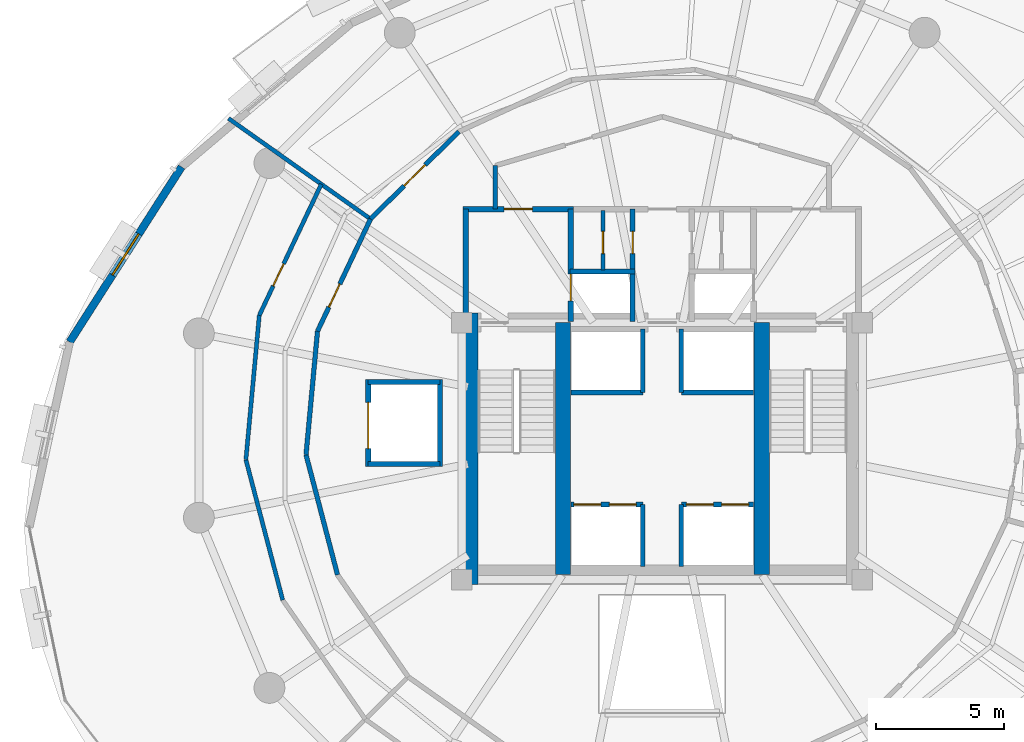
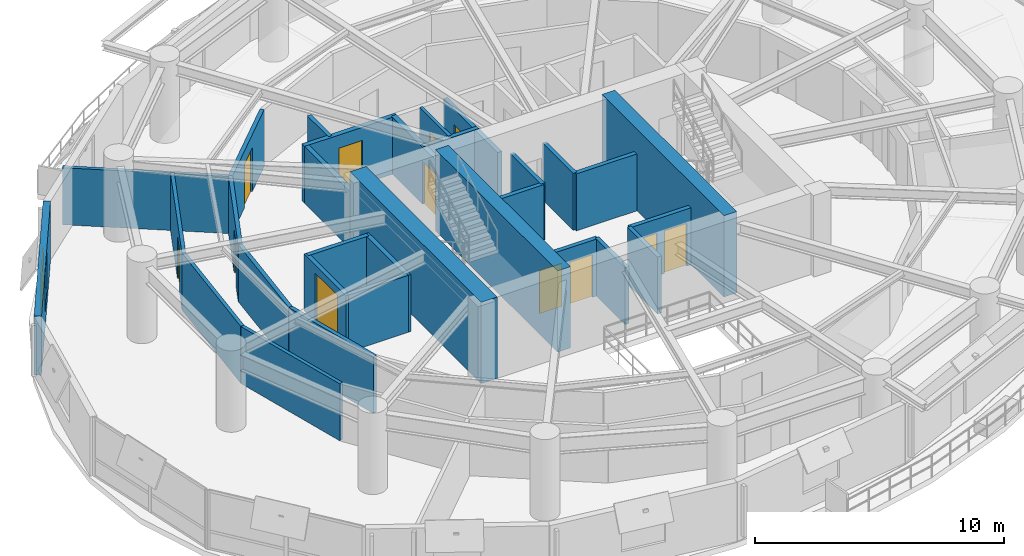
# One storey, part 10 of 14: 31 walls, 12 doors, 1 window, 13 openings.
"""IFC4 building model written with IfcOpenShell, lengths in metres."""

from ifc_helpers import new_model, si_unit, direction, frame, frame_2d, origin, place, context, subcontext, project, spatial, rectangle, extrude, material, layer, layer_set, type_object, element, fill, save


model = new_model("IFC4")

# Units and contexts
model_context = context("Model", 3, precision=1e-05, world=origin(), true_north=direction((0.0, 1.0)))
body_context = subcontext(model_context, "Body", "Model", "MODEL_VIEW")
ifc_project = project(units=[si_unit("LENGTHUNIT", "METRE"), si_unit("AREAUNIT", "SQUARE_METRE"), si_unit("VOLUMEUNIT", "CUBIC_METRE"), si_unit("PLANEANGLEUNIT", "RADIAN"), si_unit("MASSUNIT", "GRAM", prefix="KILO"), si_unit("THERMODYNAMICTEMPERATUREUNIT", "KELVIN"), si_unit("POWERUNIT", "WATT")], contexts=[model_context])

# Site, building, storey
site_placement = place(None, origin())
site = spatial("IfcSite", under=ifc_project, at=site_placement, CompositionType="ELEMENT")
building_placement = place(site_placement, origin())
building = spatial("IfcBuilding", under=site, at=building_placement, Name="Ocrelia Relay Tower", CompositionType="ELEMENT")
storey_placement = place(building_placement, frame((0.0, 0.0, 137.800048828125)))
storey = spatial("IfcBuildingStorey", under=building, at=storey_placement, Name="L32", CompositionType="ELEMENT", Elevation=137.800048828125)

# Walls
ifc_material_1 = material(Name="Concrete C60/75", Category="concrete")
ifc_layer_1 = layer(ifc_material_1, 0.75, Name="Concrete C60/75")
ifc_layer_set_1 = layer_set([ifc_layer_1], Name="Concrete C60/75")
wall_type_1 = type_object("IfcWallType", Name="CW-CORE-750", PredefinedType="SHEAR", material=ifc_layer_set_1)
wall_1_placement = place(storey_placement, frame((26.447021484375, 19.81201171875, 0.0), z_axis=(0.0, 0.0, 1.0), x_axis=(0.0, 1.0, 0.0)))
element("IfcWall", 1, at=wall_1_placement, inside=storey, type_object=wall_type_1, Name="L32 Core Shear Wall W", PredefinedType="SHEAR", context=body_context, shape_type="SweptSolid", body=[
    extrude(rectangle(XDim=10.575927734375, YDim=0.75, at=frame_2d((5.2880859375, 0.0))), origin(), (0.0, 0.0, 1.0), 4.0),
])
for number, where, z_axis, x_axis, name in (
    (2, (30.137939453125, 20.18701171875, 0.0), (0.0, 0.0, 1.0), (0.0, 1.0, 0.0), "L32 Core Shear Wall SPW"),
    (3, (37.8720703125, 20.18701171875, 0.0), (0.0, 0.0, 1.0), (0.0, 1.0, 0.0), "L32 Core Shear Wall SPE"),
):
    element("IfcWall", number, at=place(storey_placement, frame(where, z_axis=z_axis, x_axis=x_axis)), inside=storey, type_object=wall_type_1, Name=name, PredefinedType="SHEAR", context=body_context, shape_type="SweptSolid", body=[
        extrude(rectangle(XDim=9.825927734375, YDim=0.60009765625, at=frame_2d((4.9130859375, 0.0))), origin(), (0.0, 0.0, 1.0), 4.0),
    ])
ifc_material_2 = material(Name="Gypsum Fireboard Partition EI60", Category="gypsum")
ifc_layer_2 = layer(ifc_material_2, 0.179931640625, Name="Gypsum Fireboard Partition EI60")
ifc_layer_set_2 = layer_set([ifc_layer_2], Name="Gypsum Fireboard Partition EI60")
wall_type_2 = type_object("IfcWallType", Name="W-CORR-EI60-180", PredefinedType="PARTITIONING", material=ifc_layer_set_2)
wall_2_placement = place(storey_placement, frame((27.5, 34.429931640625, 0.0), z_axis=(0.0, 0.0, 1.0), x_axis=(0.0, 1.0, 0.0)))
element("IfcWall", 4, at=wall_2_placement, inside=storey, type_object=wall_type_2, Name="L32 Smoke Lobby West Return", PredefinedType="PARTITIONING", context=body_context, shape_type="SweptSolid", body=[
    extrude(rectangle(XDim=1.69287109375, YDim=0.179931640625, at=frame_2d((0.846435546875, 0.0))), origin(), (0.0, 0.0, 1.0), 2.800048828125),
])

# Wall, opening, door
wall_3_placement = place(storey_placement, frame((26.07568359375, 37.444091796875, 0.0), z_axis=(0.0, 0.0, 1.0), x_axis=(-0.710808900414, -0.703385176907, 0.0)))
wall_3 = element("IfcWall", 5, at=wall_3_placement, inside=storey, type_object=wall_type_2, Name="L32 Optical Switching Hall A Corridor Partition 4", PredefinedType="PARTITIONING", context=body_context, shape_type="SweptSolid", body=[
    extrude(rectangle(XDim=4.834228515625, YDim=0.179931640625, at=frame_2d((2.4169921875, 0.0))), origin(), (0.0, 0.0, 1.0), 2.800048828125),
])
opening_1_placement = place(wall_3_placement, frame((1.842041015625, 0.0, 0.0)))
opening_1 = element("IfcOpeningElement", 6, at=opening_1_placement, cuts=wall_3, Name="Opening D-RM115", PredefinedType="OPENING", context=body_context, shape_type="SweptSolid", body=[
    extrude(rectangle(XDim=1.14990234375, YDim=2.14990234375, at=frame_2d((0.574951171875, 1.074951171875))), frame((0.0, 0.10009765625, 0.0), z_axis=(0.0, -1.0, 0.0), x_axis=(1.0, 0.0, 0.0)), (0.0, 0.0, 1.0), 0.199951171875),
])
ifc_material_3 = material(Name="Wide acoustic oak veneer fire door", Category="wood")
door_type_1 = type_object("IfcDoorType", Name="DR-ROOM-1150", OperationType="NOTDEFINED", PredefinedType="DOOR", material=ifc_material_3)
door_1_placement = place(opening_1_placement, origin())
door_1 = element("IfcDoor", 7, at=door_1_placement, inside=storey, type_object=door_type_1, Name="L32 Optical Switching Hall A Entrance Door", OperationType="SINGLE_SWING_LEFT", OverallHeight=2.14990234375, OverallWidth=1.14990234375, PredefinedType="DOOR", context=body_context, shape_type="SweptSolid", body=[
    extrude(rectangle(XDim=1.14990234375, YDim=2.14990234375, at=frame_2d((0.574951171875, 1.074951171875))), frame((0.0, 0.02490234375, 0.0), z_axis=(0.0, -1.0, 0.0), x_axis=(1.0, 0.0, 0.0)), (0.0, 0.0, 1.0), 0.050048828125),
])
fill(opening_1, door_1)

wall_4_placement = place(storey_placement, frame((22.639404296875, 34.043701171875, 0.0), z_axis=(0.0, 0.0, 1.0), x_axis=(-0.427348095513, -0.904087166849, 0.0)))
wall_4 = element("IfcWall", 8, at=wall_4_placement, inside=storey, type_object=wall_type_2, Name="L32 Executive Reading Study Corridor Partition 1", PredefinedType="PARTITIONING", context=body_context, shape_type="SweptSolid", body=[
    extrude(rectangle(XDim=4.834228515625, YDim=0.179931640625, at=frame_2d((2.4169921875, 0.0))), origin(), (0.0, 0.0, 1.0), 2.800048828125),
])
opening_2_placement = place(wall_4_placement, frame((2.80078125, 0.0, 0.0)))
opening_2 = element("IfcOpeningElement", 9, at=opening_2_placement, cuts=wall_4, Name="Opening D-RM100", PredefinedType="OPENING", context=body_context, shape_type="SweptSolid", body=[
    extrude(rectangle(XDim=1.0, YDim=2.14990234375, at=frame_2d((0.5, 1.074951171875))), frame((0.0, 0.10009765625, 0.0), z_axis=(0.0, -1.0, 0.0), x_axis=(1.0, 0.0, 0.0)), (0.0, 0.0, 1.0), 0.199951171875),
])
ifc_material_4 = material(Name="Acoustic oak veneer fire door", Category="wood")
door_type_2 = type_object("IfcDoorType", Name="DR-ROOM-FD60-1000", OperationType="NOTDEFINED", PredefinedType="DOOR", material=ifc_material_4)
door_2_placement = place(opening_2_placement, origin())
door_2 = element("IfcDoor", 10, at=door_2_placement, inside=storey, type_object=door_type_2, Name="L32 Executive Reading Study Entrance Door", OperationType="SINGLE_SWING_RIGHT", OverallHeight=2.14990234375, OverallWidth=1.0, PredefinedType="DOOR", context=body_context, shape_type="SweptSolid", body=[
    extrude(rectangle(XDim=1.0, YDim=2.14990234375, at=frame_2d((0.5, 1.074951171875))), frame((0.0, 0.02490234375, 0.0), z_axis=(0.0, -1.0, 0.0), x_axis=(1.0, 0.0, 0.0)), (0.0, 0.0, 1.0), 0.050048828125),
])
fill(opening_2, door_2)

# Walls
wall_5_placement = place(storey_placement, frame((20.573486328125, 29.673095703125, 0.0), z_axis=(0.0, 0.0, 1.0), x_axis=(-0.092416111348, -0.99572047401, 0.0)))
element("IfcWall", 11, at=wall_5_placement, inside=storey, type_object=wall_type_2, Name="L32 Executive Reading Study Corridor Partition 2", PredefinedType="PARTITIONING", context=body_context, shape_type="SweptSolid", body=[
    extrude(rectangle(XDim=4.83447265625, YDim=0.179931640625, at=frame_2d((2.417236328125, 0.0))), origin(), (0.0, 0.0, 1.0), 2.800048828125),
])
wall_6_placement = place(storey_placement, frame((20.126708984375, 24.859375, 0.0), z_axis=(0.0, 0.0, 1.0), x_axis=(0.253772332763, -0.967263977994, 0.0)))
element("IfcWall", 12, at=wall_6_placement, inside=storey, type_object=wall_type_2, Name="L32 Executive Reading Study Corridor Partition 3", PredefinedType="PARTITIONING", context=body_context, shape_type="SweptSolid", body=[
    extrude(rectangle(XDim=4.834228515625, YDim=0.179931640625, at=frame_2d((2.4169921875, 0.0))), origin(), (0.0, 0.0, 1.0), 2.800048828125),
])

# Wall, opening, window
ifc_material_5 = material(Name="Precast concrete C40/50 with oxide terracotta", Category="masonry")
ifc_layer_3 = layer(ifc_material_5, 0.300048828125, Name="Precast concrete C40/50 with oxide terracotta")
ifc_layer_set_3 = layer_set([ifc_layer_3], Name="Precast concrete C40/50 with oxide terracotta")
wall_type_3 = type_object("IfcWallType", Name="W-EXT-TERR-300", PredefinedType="SOLIDWALL", material=ifc_layer_set_3)
wall_7_placement = place(storey_placement, frame((15.2783203125, 36.072509765625, 0.0), z_axis=(0.0, 0.0, 1.0), x_axis=(-0.538505872867, -0.842621756714, 0.0)))
wall_7 = element("IfcWall", 13, at=wall_7_placement, inside=storey, type_object=wall_type_3, Name="L32 Oxide Terracotta Facade Wall 07", PredefinedType="SOLIDWALL", context=body_context, shape_type="SweptSolid", body=[
    extrude(rectangle(XDim=8.09521484375, YDim=0.300048828125, at=frame_2d((4.047607421875, 0.0))), origin(), (0.0, 0.0, 1.0), 2.89990234375),
])
opening_3_placement = place(wall_7_placement, frame((3.097900390625, 0.0, 0.800048828125)))
opening_3 = element("IfcOpeningElement", 14, at=opening_3_placement, cuts=wall_7, Name="Opening W-06", PredefinedType="OPENING", context=body_context, shape_type="SweptSolid", body=[
    extrude(rectangle(XDim=1.89990234375, YDim=1.949951171875, at=frame_2d((0.949951171875, 0.97509765625))), frame((0.0, 0.16015625, 0.0), z_axis=(0.0, -1.0, 0.0), x_axis=(1.0, 0.0, 0.0)), (0.0, 0.0, 1.0), 0.320068359375),
])
ifc_material_6 = material(Name="Clear double-glazed low-E glass", Category="glass")
window_type = type_object("IfcWindowType", Name="WIN-Z2-1900x2100", PartitioningType="DOUBLE_PANEL_VERTICAL", PredefinedType="WINDOW", material=ifc_material_6)
window_placement = place(opening_3_placement, origin())
window = element("IfcWindow", 15, at=window_placement, inside=storey, type_object=window_type, Name="L32 Facade Module Window 07", OverallHeight=1.949951171875, OverallWidth=1.89990234375, PartitioningType="SINGLE_PANEL", PredefinedType="WINDOW", context=body_context, shape_type="SweptSolid", body=[
    extrude(rectangle(XDim=1.89990234375, YDim=1.949951171875, at=frame_2d((0.949951171875, 0.97509765625))), frame((0.0, 0.030029296875, 0.0), z_axis=(0.0, -1.0, 0.0), x_axis=(1.0, 0.0, 0.0)), (0.0, 0.0, 1.0), 0.06005859375),
])
fill(opening_3, window)

# Wall
ifc_material_7 = material(Name="Concrete C50/60", Category="concrete")
ifc_layer_4 = layer(ifc_material_7, 0.219970703125, Name="Concrete C50/60")
ifc_layer_set_4 = layer_set([ifc_layer_4], Name="Concrete C50/60")
wall_type_4 = type_object("IfcWallType", Name="W-FFL-EI120-220", PredefinedType="SOLIDWALL", material=ifc_layer_set_4)
wall_8_placement = place(storey_placement, frame((26.35009765625, 30.050048828125, 0.0), z_axis=(0.0, 0.0, 1.0), x_axis=(0.0, 1.0, 0.0)))
element("IfcWall", 16, at=wall_8_placement, inside=storey, type_object=wall_type_4, Name="L32 W Fire Service Lift Lobby West Wall", PredefinedType="SOLIDWALL", context=body_context, shape_type="SweptSolid", body=[
    extrude(rectangle(XDim=4.3798828125, YDim=0.219970703125, at=frame_2d((2.18994140625, 0.0))), origin(), (0.0, 0.0, 1.0), 2.800048828125),
])

# Wall, opening, door
wall_9_placement = place(storey_placement, frame((30.43994140625, 30.050048828125, 0.0), z_axis=(0.0, 0.0, 1.0), x_axis=(0.0, 1.0, 0.0)))
wall_9 = element("IfcWall", 17, at=wall_9_placement, inside=storey, type_object=wall_type_4, Name="L32 W Fire Service Lift Lobby East Wall", PredefinedType="SOLIDWALL", context=body_context, shape_type="SweptSolid", body=[
    extrude(rectangle(XDim=4.3798828125, YDim=0.219970703125, at=frame_2d((2.18994140625, 0.0))), origin(), (0.0, 0.0, 1.0), 2.800048828125),
])
opening_4_placement = place(wall_9_placement, frame((0.800048828125, 0.0, 0.0)))
opening_4 = element("IfcOpeningElement", 18, at=opening_4_placement, cuts=wall_9, Name="Opening LD-FFL1", PredefinedType="OPENING", context=body_context, shape_type="SweptSolid", body=[
    extrude(rectangle(XDim=1.050048828125, YDim=2.10009765625, at=frame_2d((0.52490234375, 1.050048828125))), frame((0.0, 0.1201171875, 0.0), z_axis=(0.0, -1.0, 0.0), x_axis=(1.0, 0.0, 0.0)), (0.0, 0.0, 1.0), 0.239990234375),
])
ifc_material_8 = material(Name="Brushed stainless steel S355 lift landing door", Category="steel")
door_type_3 = type_object("IfcDoorType", Name="DR-LIFT-LAND-1050", OperationType="DOUBLE_DOOR_SLIDING", PredefinedType="USERDEFINED", material=ifc_material_8)
door_3_placement = place(opening_4_placement, origin())
door_3 = element("IfcDoor", 19, at=door_3_placement, inside=storey, type_object=door_type_3, Name="L32 Firefighting Lift FFL1 Sliding Landing Door", ObjectType="LANDING DOOR", OperationType="DOUBLE_DOOR_SLIDING", OverallHeight=2.10009765625, OverallWidth=1.050048828125, PredefinedType="USERDEFINED", context=body_context, shape_type="SweptSolid", body=[
    extrude(rectangle(XDim=1.050048828125, YDim=2.10009765625, at=frame_2d((0.52490234375, 1.050048828125))), frame((0.0, 0.02490234375, 0.0), z_axis=(0.0, -1.0, 0.0), x_axis=(1.0, 0.0, 0.0)), (0.0, 0.0, 1.0), 0.050048828125),
])
fill(opening_4, door_3)

wall_10_placement = place(storey_placement, frame((26.239990234375, 34.429931640625, 0.0), z_axis=(0.0, 0.0, 1.0), x_axis=(1.0, 0.0, 0.0)))
wall_10 = element("IfcWall", 20, at=wall_10_placement, inside=storey, type_object=wall_type_4, Name="L32 W Fire Service Lift Lobby North Wall", PredefinedType="SOLIDWALL", context=body_context, shape_type="SweptSolid", body=[
    extrude(rectangle(XDim=4.31005859375, YDim=0.219970703125, at=frame_2d((2.155029296875, 0.0))), origin(), (0.0, 0.0, 1.0), 2.800048828125),
])
opening_5_placement = place(wall_10_placement, frame((1.60009765625, 0.0, 0.0)))
opening_5 = element("IfcOpeningElement", 21, at=opening_5_placement, cuts=wall_10, Name="Opening D-FD60", PredefinedType="OPENING", context=body_context, shape_type="SweptSolid", body=[
    extrude(rectangle(XDim=1.10009765625, YDim=2.14990234375, at=frame_2d((0.550048828125, 1.074951171875))), frame((0.0, 0.1201171875, 0.0), z_axis=(0.0, -1.0, 0.0), x_axis=(1.0, 0.0, 0.0)), (0.0, 0.0, 1.0), 0.239990234375),
])
ifc_material_9 = material(Name="Timber-core 60-min acoustic fire door", Category="wood")
door_type_4 = type_object("IfcDoorType", Name="DR-LOBBY-FD60-1100", OperationType="NOTDEFINED", PredefinedType="DOOR", material=ifc_material_9)
door_4_placement = place(opening_5_placement, origin())
door_4 = element("IfcDoor", 22, at=door_4_placement, inside=storey, type_object=door_type_4, Name="L32 W Fire Service Lift Lobby Exit Door", OperationType="SINGLE_SWING_LEFT", OverallHeight=2.14990234375, OverallWidth=1.10009765625, PredefinedType="DOOR", context=body_context, shape_type="SweptSolid", body=[
    extrude(rectangle(XDim=1.10009765625, YDim=2.14990234375, at=frame_2d((0.550048828125, 1.074951171875))), frame((0.0, 0.02490234375, 0.0), z_axis=(0.0, -1.0, 0.0), x_axis=(1.0, 0.0, 0.0)), (0.0, 0.0, 1.0), 0.050048828125),
])
fill(opening_5, door_4)

ifc_material_10 = material(Name="Acoustic Fireboard Partition EI60", Category="gypsum")
ifc_layer_5 = layer(ifc_material_10, 0.14990234375, Name="Acoustic Fireboard Partition EI60")
ifc_layer_set_5 = layer_set([ifc_layer_5], Name="Acoustic Fireboard Partition EI60")
wall_type_5 = type_object("IfcWallType", Name="W-PART-150", PredefinedType="PARTITIONING", material=ifc_layer_set_5)
wall_11_placement = place(storey_placement, frame((31.68994140625, 32.050048828125, 0.0), z_axis=(0.0, 0.0, 1.0), x_axis=(0.0, 1.0, 0.0)))
wall_11 = element("IfcWall", 23, at=wall_11_placement, inside=storey, type_object=wall_type_5, Name="L32 West Core Support Partition", PredefinedType="PARTITIONING", context=body_context, shape_type="SweptSolid", body=[
    extrude(rectangle(XDim=2.329833984375, YDim=0.14990234375, at=frame_2d((1.1650390625, 0.0))), origin(), (0.0, 0.0, 1.0), 2.800048828125),
])
opening_6_placement = place(wall_11_placement, frame((0.64990234375, 0.0, 0.0)))
opening_6 = element("IfcOpeningElement", 24, at=opening_6_placement, cuts=wall_11, Name="Opening D-RS86", PredefinedType="OPENING", context=body_context, shape_type="SweptSolid", body=[
    extrude(rectangle(XDim=0.860107421875, YDim=2.050048828125, at=frame_2d((0.43017578125, 1.02490234375))), frame((0.0, 0.0849609375, 0.0), z_axis=(0.0, -1.0, 0.0), x_axis=(1.0, 0.0, 0.0)), (0.0, 0.0, 1.0), 0.169921875),
])
ifc_material_11 = material(Name="Steel S355 riser access fire door", Category="steel")
door_type_5 = type_object("IfcDoorType", Name="DR-RISER-TRAP-860", OperationType="NOTDEFINED", PredefinedType="TRAPDOOR", material=ifc_material_11)
door_5_placement = place(opening_6_placement, origin())
door_5 = element("IfcDoor", 25, at=door_5_placement, inside=storey, type_object=door_type_5, Name="L32 West Core Store Connecting Door", OperationType="SINGLE_SWING_RIGHT", OverallHeight=2.050048828125, OverallWidth=0.860107421875, PredefinedType="TRAPDOOR", context=body_context, shape_type="SweptSolid", body=[
    extrude(rectangle(XDim=0.860107421875, YDim=2.050048828125, at=frame_2d((0.43017578125, 1.02490234375))), frame((0.0, 0.02490234375, 0.0), z_axis=(0.0, -1.0, 0.0), x_axis=(1.0, 0.0, 0.0)), (0.0, 0.0, 1.0), 0.050048828125),
])
fill(opening_6, door_5)

# Wall
ifc_layer_6 = layer(ifc_material_10, 0.159912109375, Name="Acoustic Fireboard Partition EI60")
ifc_layer_set_6 = layer_set([ifc_layer_6], Name="Acoustic Fireboard Partition EI60")
wall_type_6 = type_object("IfcWallType", Name="W-PART-160", PredefinedType="PARTITIONING", material=ifc_layer_set_6)
wall_12_placement = place(storey_placement, frame((22.639404296875, 34.043701171875, 0.0), z_axis=(0.0, 0.0, 1.0), x_axis=(-0.816132742067, 0.577864471418, 0.0)))
element("IfcWall", 26, at=wall_12_placement, inside=storey, type_object=wall_type_6, Name="L32 Optical Switching Hall A Radial Partition", PredefinedType="PARTITIONING", context=body_context, shape_type="SweptSolid", body=[
    extrude(rectangle(XDim=6.780029296875, YDim=0.159912109375, at=frame_2d((3.39013671875, 0.0))), origin(), (0.0, 0.0, 1.0), 2.800048828125),
])

# Wall, opening, door
wall_13_placement = place(storey_placement, frame((20.721435546875, 35.401611328125, 0.0), z_axis=(0.0, 0.0, 1.0), x_axis=(-0.427367416894, -0.904078033677, 0.0)))
wall_13 = element("IfcWall", 27, at=wall_13_placement, inside=storey, type_object=wall_type_6, Name="L32 Perimeter Executive Reading Study Mid-Ring Partition 1", PredefinedType="PARTITIONING", context=body_context, shape_type="SweptSolid", body=[
    extrude(rectangle(XDim=5.650390625, YDim=0.159912109375, at=frame_2d((2.8251953125, 0.0))), origin(), (0.0, 0.0, 1.0), 2.800048828125),
])
opening_7_placement = place(wall_13_placement, frame((3.435302734375, 0.0, 0.0)))
opening_7 = element("IfcOpeningElement", 28, at=opening_7_placement, cuts=wall_13, Name="Opening D-RM95", PredefinedType="OPENING", context=body_context, shape_type="SweptSolid", body=[
    extrude(rectangle(XDim=0.949951171875, YDim=2.14990234375, at=frame_2d((0.47509765625, 1.074951171875))), frame((0.0, 0.08984375, 0.0), z_axis=(0.0, -1.0, 0.0), x_axis=(1.0, 0.0, 0.0)), (0.0, 0.0, 1.0), 0.179931640625),
])
door_type_6 = type_object("IfcDoorType", Name="DR-ROOM-950", OperationType="NOTDEFINED", PredefinedType="DOOR", material=ifc_material_4)
door_6_placement = place(opening_7_placement, origin())
door_6 = element("IfcDoor", 29, at=door_6_placement, inside=storey, type_object=door_type_6, Name="L32 Perimeter Executive Reading Study Connecting Door", OperationType="SINGLE_SWING_LEFT", OverallHeight=2.14990234375, OverallWidth=0.949951171875, PredefinedType="DOOR", context=body_context, shape_type="SweptSolid", body=[
    extrude(rectangle(XDim=0.949951171875, YDim=2.14990234375, at=frame_2d((0.47509765625, 1.074951171875))), frame((0.0, 0.02490234375, 0.0), z_axis=(0.0, -1.0, 0.0), x_axis=(1.0, 0.0, 0.0)), (0.0, 0.0, 1.0), 0.050048828125),
])
fill(opening_7, door_6)

# Walls
wall_14_placement = place(storey_placement, frame((18.306640625, 30.293212890625, 0.0), z_axis=(0.0, 0.0, 1.0), x_axis=(-0.092378297912, -0.995723982876, 0.0)))
element("IfcWall", 30, at=wall_14_placement, inside=storey, type_object=wall_type_6, Name="L32 Perimeter Executive Reading Study Mid-Ring Partition 2", PredefinedType="PARTITIONING", context=body_context, shape_type="SweptSolid", body=[
    extrude(rectangle(XDim=5.650390625, YDim=0.159912109375, at=frame_2d((2.8251953125, 0.0))), origin(), (0.0, 0.0, 1.0), 2.800048828125),
])
wall_15_placement = place(storey_placement, frame((17.78466796875, 24.6669921875, 0.0), z_axis=(0.0, 0.0, 1.0), x_axis=(0.253753113649, -0.967269020135, 0.0)))
element("IfcWall", 31, at=wall_15_placement, inside=storey, type_object=wall_type_6, Name="L32 Perimeter Executive Reading Study Mid-Ring Partition 3", PredefinedType="PARTITIONING", context=body_context, shape_type="SweptSolid", body=[
    extrude(rectangle(XDim=5.650634765625, YDim=0.159912109375, at=frame_2d((2.8251953125, 0.0))), origin(), (0.0, 0.0, 1.0), 2.800048828125),
])
ifc_layer_7 = layer(ifc_material_7, 0.199951171875, Name="Concrete C50/60")
ifc_layer_set_7 = layer_set([ifc_layer_7], Name="Concrete C50/60")
wall_type_7 = type_object("IfcWallType", Name="W-SHAFT-EI120-200", PredefinedType="SOLIDWALL", material=ifc_layer_set_7)
wall_16_placement = place(storey_placement, frame((30.39990234375, 32.0, 0.0), z_axis=(0.0, 0.0, 1.0), x_axis=(1.0, 0.0, 0.0)))
element("IfcWall", 32, at=wall_16_placement, inside=storey, type_object=wall_type_7, Name="L32 FFL1 Hoistway North Wall", PredefinedType="SOLIDWALL", context=body_context, shape_type="SweptSolid", body=[
    extrude(rectangle(XDim=2.550048828125, YDim=0.199951171875, at=frame_2d((1.27490234375, 0.0))), origin(), (0.0, 0.0, 1.0), 2.800048828125),
])

# Wall, opening, door
wall_17_placement = place(storey_placement, frame((32.85009765625, 30.050048828125, 0.0), z_axis=(0.0, 0.0, 1.0), x_axis=(0.0, 1.0, 0.0)))
wall_17 = element("IfcWall", 33, at=wall_17_placement, inside=storey, type_object=wall_type_7, Name="L32 FFL1 and Service Vestibule Wall", PredefinedType="SOLIDWALL", context=body_context, shape_type="SweptSolid", body=[
    extrude(rectangle(XDim=4.3798828125, YDim=0.199951171875, at=frame_2d((2.18994140625, 0.0))), origin(), (0.0, 0.0, 1.0), 2.800048828125),
])
opening_8_placement = place(wall_17_placement, frame((2.64990234375, 0.0, 0.0)))
opening_8 = element("IfcOpeningElement", 34, at=opening_8_placement, cuts=wall_17, Name="Opening D-RS86", PredefinedType="OPENING", context=body_context, shape_type="SweptSolid", body=[
    extrude(rectangle(XDim=0.860107421875, YDim=2.050048828125, at=frame_2d((0.43017578125, 1.02490234375))), frame((0.0, 0.10986328125, 0.0), z_axis=(0.0, -1.0, 0.0), x_axis=(1.0, 0.0, 0.0)), (0.0, 0.0, 1.0), 0.219970703125),
])
door_7_placement = place(opening_8_placement, origin())
door_7 = element("IfcDoor", 35, at=door_7_placement, inside=storey, type_object=door_type_5, Name="L32 Core Support Room W Door", OperationType="SINGLE_SWING_RIGHT", OverallHeight=2.050048828125, OverallWidth=0.860107421875, PredefinedType="TRAPDOOR", context=body_context, shape_type="SweptSolid", body=[
    extrude(rectangle(XDim=0.860107421875, YDim=2.050048828125, at=frame_2d((0.43017578125, 1.02490234375))), frame((0.0, 0.02490234375, 0.0), z_axis=(0.0, -1.0, 0.0), x_axis=(1.0, 0.0, 0.0)), (0.0, 0.0, 1.0), 0.050048828125),
])
fill(opening_8, door_7)

# Wall, openings, doors
wall_18_placement = place(storey_placement, frame((30.43994140625, 22.919921875, 0.0), z_axis=(0.0, 0.0, 1.0), x_axis=(1.0, 0.0, 0.0)))
wall_18 = element("IfcWall", 36, at=wall_18_placement, inside=storey, type_object=wall_type_7, Name="L32 Low-Rise Lift Hoistway Wall W", PredefinedType="SOLIDWALL", context=body_context, shape_type="SweptSolid", body=[
    extrude(rectangle(XDim=2.81005859375, YDim=0.199951171875, at=frame_2d((1.405029296875, 0.0))), origin(), (0.0, 0.0, 1.0), 2.800048828125),
])
opening_9_placement = place(wall_18_placement, frame((0.1201171875, 0.0, 0.0)))
opening_9 = element("IfcOpeningElement", 37, at=opening_9_placement, cuts=wall_18, Name="Opening LD-PL1", PredefinedType="OPENING", context=body_context, shape_type="SweptSolid", body=[
    extrude(rectangle(XDim=1.050048828125, YDim=2.10009765625, at=frame_2d((0.52490234375, 1.050048828125))), frame((0.0, 0.10986328125, 0.0), z_axis=(0.0, -1.0, 0.0), x_axis=(1.0, 0.0, 0.0)), (0.0, 0.0, 1.0), 0.219970703125),
])
opening_10_placement = place(wall_18_placement, frame((1.5, 0.0, 0.0)))
opening_10 = element("IfcOpeningElement", 38, at=opening_10_placement, cuts=wall_18, Name="Opening LD-PL2", PredefinedType="OPENING", context=body_context, shape_type="SweptSolid", body=[
    extrude(rectangle(XDim=1.050048828125, YDim=2.10009765625, at=frame_2d((0.52490234375, 1.050048828125))), frame((0.0, 0.10986328125, 0.0), z_axis=(0.0, -1.0, 0.0), x_axis=(1.0, 0.0, 0.0)), (0.0, 0.0, 1.0), 0.219970703125),
])
door_8_placement = place(opening_9_placement, origin())
door_8 = element("IfcDoor", 39, at=door_8_placement, inside=storey, type_object=door_type_3, Name="L32 Passenger Lift PL1 Sliding Landing Door", ObjectType="LANDING DOOR", OperationType="DOUBLE_DOOR_SLIDING", OverallHeight=2.10009765625, OverallWidth=1.050048828125, PredefinedType="USERDEFINED", context=body_context, shape_type="SweptSolid", body=[
    extrude(rectangle(XDim=1.050048828125, YDim=2.10009765625, at=frame_2d((0.52490234375, 1.050048828125))), frame((0.0, 0.02490234375, 0.0), z_axis=(0.0, -1.0, 0.0), x_axis=(1.0, 0.0, 0.0)), (0.0, 0.0, 1.0), 0.050048828125),
])
fill(opening_9, door_8)
door_9_placement = place(opening_10_placement, origin())
door_9 = element("IfcDoor", 40, at=door_9_placement, inside=storey, type_object=door_type_3, Name="L32 Passenger Lift PL2 Sliding Landing Door", ObjectType="LANDING DOOR", OperationType="DOUBLE_DOOR_SLIDING", OverallHeight=2.10009765625, OverallWidth=1.050048828125, PredefinedType="USERDEFINED", context=body_context, shape_type="SweptSolid", body=[
    extrude(rectangle(XDim=1.050048828125, YDim=2.10009765625, at=frame_2d((0.52490234375, 1.050048828125))), frame((0.0, 0.02490234375, 0.0), z_axis=(0.0, -1.0, 0.0), x_axis=(1.0, 0.0, 0.0)), (0.0, 0.0, 1.0), 0.050048828125),
])
fill(opening_10, door_9)

# Wall
wall_19_placement = place(storey_placement, frame((33.25, 20.5, 0.0), z_axis=(0.0, 0.0, 1.0), x_axis=(0.0, 1.0, 0.0)))
element("IfcWall", 41, at=wall_19_placement, inside=storey, type_object=wall_type_7, Name="L32 Low-Rise Lift Throat Wall W", PredefinedType="SOLIDWALL", context=body_context, shape_type="SweptSolid", body=[
    extrude(rectangle(XDim=2.419921875, YDim=0.179931640625, at=frame_2d((1.2099609375, 0.0))), origin(), (0.0, 0.0, 1.0), 2.800048828125),
])

# Wall, openings, doors
wall_20_placement = place(storey_placement, frame((34.75, 22.919921875, 0.0), z_axis=(0.0, 0.0, 1.0), x_axis=(1.0, 0.0, 0.0)))
wall_20 = element("IfcWall", 42, at=wall_20_placement, inside=storey, type_object=wall_type_7, Name="L32 Low-Rise Lift Hoistway Wall E", PredefinedType="SOLIDWALL", context=body_context, shape_type="SweptSolid", body=[
    extrude(rectangle(XDim=2.81005859375, YDim=0.199951171875, at=frame_2d((1.405029296875, 0.0))), origin(), (0.0, 0.0, 1.0), 2.800048828125),
])
opening_11_placement = place(wall_20_placement, frame((0.18994140625, 0.0, 0.0)))
opening_11 = element("IfcOpeningElement", 43, at=opening_11_placement, cuts=wall_20, Name="Opening LD-PL3", PredefinedType="OPENING", context=body_context, shape_type="SweptSolid", body=[
    extrude(rectangle(XDim=1.050048828125, YDim=2.10009765625, at=frame_2d((0.52490234375, 1.050048828125))), frame((0.0, 0.10986328125, 0.0), z_axis=(0.0, -1.0, 0.0), x_axis=(1.0, 0.0, 0.0)), (0.0, 0.0, 1.0), 0.219970703125),
])
opening_12_placement = place(wall_20_placement, frame((1.570068359375, 0.0, 0.0)))
opening_12 = element("IfcOpeningElement", 44, at=opening_12_placement, cuts=wall_20, Name="Opening LD-PL4", PredefinedType="OPENING", context=body_context, shape_type="SweptSolid", body=[
    extrude(rectangle(XDim=1.050048828125, YDim=2.10009765625, at=frame_2d((0.52490234375, 1.050048828125))), frame((0.0, 0.10986328125, 0.0), z_axis=(0.0, -1.0, 0.0), x_axis=(1.0, 0.0, 0.0)), (0.0, 0.0, 1.0), 0.219970703125),
])
door_10_placement = place(opening_11_placement, origin())
door_10 = element("IfcDoor", 45, at=door_10_placement, inside=storey, type_object=door_type_3, Name="L32 Passenger Lift PL3 Sliding Landing Door", ObjectType="LANDING DOOR", OperationType="DOUBLE_DOOR_SLIDING", OverallHeight=2.10009765625, OverallWidth=1.050048828125, PredefinedType="USERDEFINED", context=body_context, shape_type="SweptSolid", body=[
    extrude(rectangle(XDim=1.050048828125, YDim=2.10009765625, at=frame_2d((0.52490234375, 1.050048828125))), frame((0.0, 0.02490234375, 0.0), z_axis=(0.0, -1.0, 0.0), x_axis=(1.0, 0.0, 0.0)), (0.0, 0.0, 1.0), 0.050048828125),
])
fill(opening_11, door_10)
door_11_placement = place(opening_12_placement, origin())
door_11 = element("IfcDoor", 46, at=door_11_placement, inside=storey, type_object=door_type_3, Name="L32 Passenger Lift PL4 Sliding Landing Door", ObjectType="LANDING DOOR", OperationType="DOUBLE_DOOR_SLIDING", OverallHeight=2.10009765625, OverallWidth=1.050048828125, PredefinedType="USERDEFINED", context=body_context, shape_type="SweptSolid", body=[
    extrude(rectangle(XDim=1.050048828125, YDim=2.10009765625, at=frame_2d((0.52490234375, 1.050048828125))), frame((0.0, 0.02490234375, 0.0), z_axis=(0.0, -1.0, 0.0), x_axis=(1.0, 0.0, 0.0)), (0.0, 0.0, 1.0), 0.050048828125),
])
fill(opening_12, door_11)

# Walls
wall_21_placement = place(storey_placement, frame((34.75, 20.5, 0.0), z_axis=(0.0, 0.0, 1.0), x_axis=(0.0, 1.0, 0.0)))
element("IfcWall", 47, at=wall_21_placement, inside=storey, type_object=wall_type_7, Name="L32 Low-Rise Lift Throat Wall E", PredefinedType="SOLIDWALL", context=body_context, shape_type="SweptSolid", body=[
    extrude(rectangle(XDim=2.419921875, YDim=0.179931640625, at=frame_2d((1.2099609375, 0.0))), origin(), (0.0, 0.0, 1.0), 2.800048828125),
])
wall_22_placement = place(storey_placement, frame((30.43994140625, 27.280029296875, 0.0), z_axis=(0.0, 0.0, 1.0), x_axis=(1.0, 0.0, 0.0)))
element("IfcWall", 48, at=wall_22_placement, inside=storey, type_object=wall_type_7, Name="L32 High-Rise Lift Hoistway Wall W", PredefinedType="SOLIDWALL", context=body_context, shape_type="SweptSolid", body=[
    extrude(rectangle(XDim=2.81005859375, YDim=0.199951171875, at=frame_2d((1.405029296875, 0.0))), origin(), (0.0, 0.0, 1.0), 2.800048828125),
])
wall_23_placement = place(storey_placement, frame((33.25, 27.280029296875, 0.0), z_axis=(0.0, 0.0, 1.0), x_axis=(0.0, 1.0, 0.0)))
element("IfcWall", 49, at=wall_23_placement, inside=storey, type_object=wall_type_7, Name="L32 High-Rise Lift Throat Wall W", PredefinedType="SOLIDWALL", context=body_context, shape_type="SweptSolid", body=[
    extrude(rectangle(XDim=2.469970703125, YDim=0.179931640625, at=frame_2d((1.23486328125, 0.0))), origin(), (0.0, 0.0, 1.0), 2.800048828125),
])
wall_24_placement = place(storey_placement, frame((34.75, 27.280029296875, 0.0), z_axis=(0.0, 0.0, 1.0), x_axis=(1.0, 0.0, 0.0)))
element("IfcWall", 50, at=wall_24_placement, inside=storey, type_object=wall_type_7, Name="L32 High-Rise Lift Hoistway Wall E", PredefinedType="SOLIDWALL", context=body_context, shape_type="SweptSolid", body=[
    extrude(rectangle(XDim=2.81005859375, YDim=0.199951171875, at=frame_2d((1.405029296875, 0.0))), origin(), (0.0, 0.0, 1.0), 2.800048828125),
])
wall_25_placement = place(storey_placement, frame((34.75, 27.280029296875, 0.0), z_axis=(0.0, 0.0, 1.0), x_axis=(0.0, 1.0, 0.0)))
element("IfcWall", 51, at=wall_25_placement, inside=storey, type_object=wall_type_7, Name="L32 High-Rise Lift Throat Wall E", PredefinedType="SOLIDWALL", context=body_context, shape_type="SweptSolid", body=[
    extrude(rectangle(XDim=2.469970703125, YDim=0.179931640625, at=frame_2d((1.23486328125, 0.0))), origin(), (0.0, 0.0, 1.0), 2.800048828125),
])

# Wall, opening, door
wall_26_placement = place(storey_placement, frame((22.550048828125, 24.39990234375, 0.0), z_axis=(0.0, 0.0, 1.0), x_axis=(0.0, 1.0, 0.0)))
wall_26 = element("IfcWall", 52, at=wall_26_placement, inside=storey, type_object=wall_type_7, Name="L32 Goods Lift Shaft West Wall", PredefinedType="SOLIDWALL", context=body_context, shape_type="SweptSolid", body=[
    extrude(rectangle(XDim=3.400146484375, YDim=0.199951171875, at=frame_2d((1.7001953125, 0.0))), origin(), (0.0, 0.0, 1.0), 2.800048828125),
])
opening_13_placement = place(wall_26_placement, frame((0.699951171875, 0.0, 0.0)))
opening_13 = element("IfcOpeningElement", 53, at=opening_13_placement, cuts=wall_26, Name="Opening LD-GL1", PredefinedType="OPENING", context=body_context, shape_type="SweptSolid", body=[
    extrude(rectangle(XDim=1.800048828125, YDim=2.39990234375, at=frame_2d((0.89990234375, 1.199951171875))), frame((0.0, 0.10986328125, 0.0), z_axis=(0.0, -1.0, 0.0), x_axis=(1.0, 0.0, 0.0)), (0.0, 0.0, 1.0), 0.219970703125),
])
ifc_material_12 = material(Name="Heavy-duty stainless steel S355 goods landing door", Category="steel")
door_type_7 = type_object("IfcDoorType", Name="DR-GOODS-LAND-1800", OperationType="DOUBLE_DOOR_SLIDING", PredefinedType="USERDEFINED", material=ifc_material_12)
door_12_placement = place(opening_13_placement, origin())
door_12 = element("IfcDoor", 54, at=door_12_placement, inside=storey, type_object=door_type_7, Name="L32 Goods Lift GL1 Sliding Landing Door", ObjectType="LANDING DOOR", OperationType="DOUBLE_DOOR_SLIDING", OverallHeight=2.39990234375, OverallWidth=1.800048828125, PredefinedType="USERDEFINED", context=body_context, shape_type="SweptSolid", body=[
    extrude(rectangle(XDim=1.800048828125, YDim=2.39990234375, at=frame_2d((0.89990234375, 1.199951171875))), frame((0.0, 0.02490234375, 0.0), z_axis=(0.0, -1.0, 0.0), x_axis=(1.0, 0.0, 0.0)), (0.0, 0.0, 1.0), 0.050048828125),
])
fill(opening_13, door_12)

# Walls
wall_27_placement = place(storey_placement, frame((25.35009765625, 24.39990234375, 0.0), z_axis=(0.0, 0.0, 1.0), x_axis=(0.0, 1.0, 0.0)))
element("IfcWall", 55, at=wall_27_placement, inside=storey, type_object=wall_type_7, Name="L32 Goods Lift Shaft E Wall", PredefinedType="SOLIDWALL", context=body_context, shape_type="SweptSolid", body=[
    extrude(rectangle(XDim=3.400146484375, YDim=0.199951171875, at=frame_2d((1.7001953125, 0.0))), origin(), (0.0, 0.0, 1.0), 2.800048828125),
])
for number, where, z_axis, x_axis, name in (
    (56, (22.550048828125, 24.5, 0.0), (0.0, 0.0, 1.0), (1.0, 0.0, 0.0), "L32 Goods Lift Shaft S Wall"),
    (57, (22.550048828125, 27.699951171875, 0.0), (0.0, 0.0, 1.0), (1.0, 0.0, 0.0), "L32 Goods Lift Shaft N Wall"),
):
    element("IfcWall", number, at=place(storey_placement, frame(where, z_axis=z_axis, x_axis=x_axis)), inside=storey, type_object=wall_type_7, Name=name, PredefinedType="SOLIDWALL", context=body_context, shape_type="SweptSolid", body=[
        extrude(rectangle(XDim=2.800048828125, YDim=0.199951171875, at=frame_2d((1.39990234375, 0.0))), origin(), (0.0, 0.0, 1.0), 2.800048828125),
    ])

save(model, "model.ifc")
